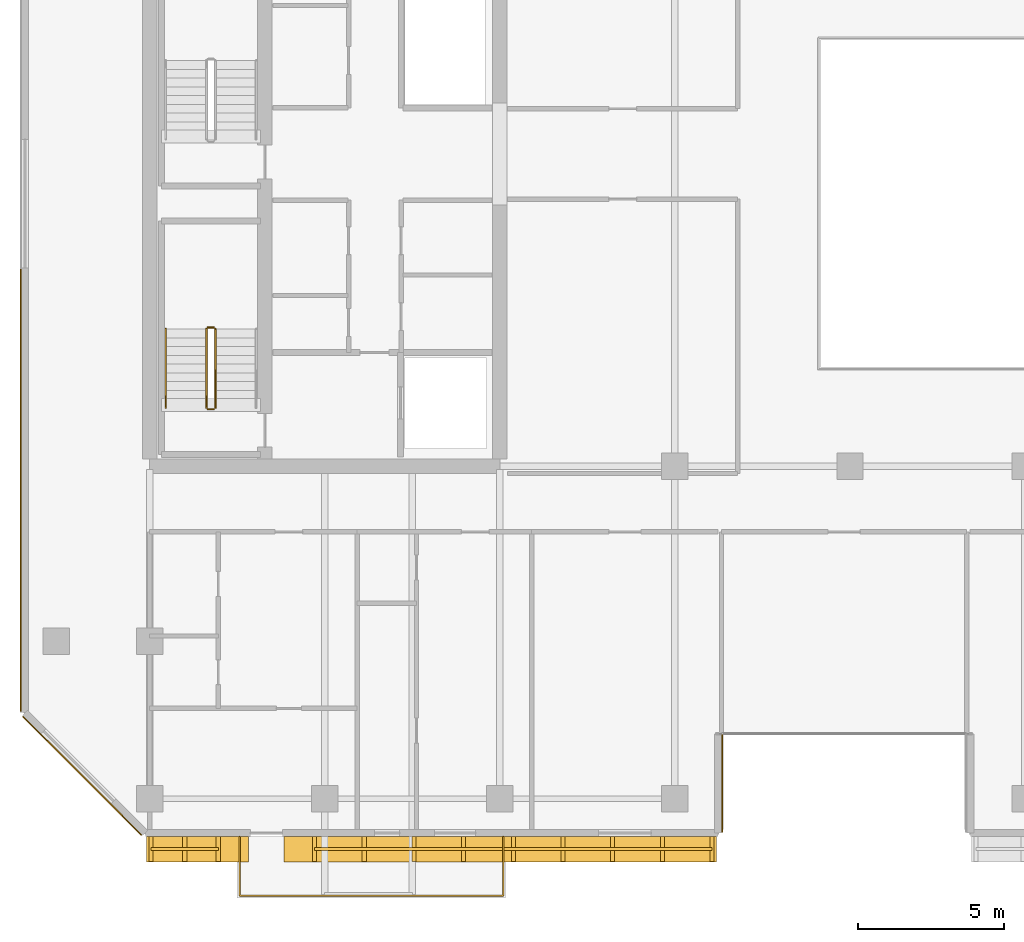
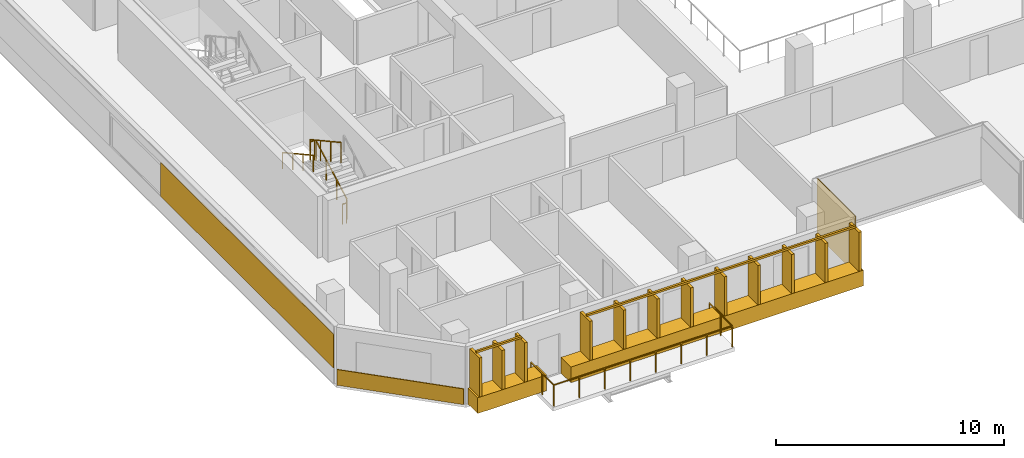
# One storey, part 16 of 20: 8 railings, 5 coverings.
"""IFC4 building model written with IfcOpenShell, lengths in metres."""

from ifc_helpers import new_model, si_unit, direction, frame, origin, origin_2d, place, context, subcontext, project, spatial, rectangle, extrude, material, layer, layer_set, type_object, element, save


model = new_model("IFC4")

# Units and contexts
model_context = context("Model", 3, precision=1e-05, world=origin(), true_north=direction((0.0, 1.0)))
body_context = subcontext(model_context, "Body", "Model", "MODEL_VIEW")
ifc_project = project(units=[si_unit("LENGTHUNIT", "METRE"), si_unit("AREAUNIT", "SQUARE_METRE"), si_unit("VOLUMEUNIT", "CUBIC_METRE"), si_unit("PLANEANGLEUNIT", "RADIAN"), si_unit("MASSUNIT", "GRAM", prefix="KILO")], contexts=[model_context])

# Site, building, storey
site_placement = place(None, origin())
site = spatial("IfcSite", under=ifc_project, at=site_placement, CompositionType="ELEMENT")
building_placement = place(site_placement, origin())
building = spatial("IfcBuilding", under=site, at=building_placement, Name="Tanjung Sevakor Pilgrim Tower", CompositionType="ELEMENT")
storey_placement = place(building_placement, frame((0.0, 0.0, 141.89990234375)))
storey = spatial("IfcBuildingStorey", under=building, at=storey_placement, Name="L39", CompositionType="ELEMENT", Elevation=141.89990234375)

# Coverings
ifc_material_1 = material(Name="Reconstructed Limestone Cladding", Category="masonry")
ifc_layer = layer(ifc_material_1, 0.044921875)
ifc_layer_set = layer_set([ifc_layer], Name="COV-CLAD-LIMESTONE")
covering_type = type_object("IfcCoveringType", Name="COV-CLAD-LIMESTONE", PredefinedType="CLADDING", material=ifc_layer_set)
covering_1_placement = place(storey_placement, frame((25.640869140625, 11.469970703125, 0.01025390625), z_axis=(0.0, 0.0, 1.0), x_axis=(1.0, 0.0, 0.0)))
element("IfcCovering", 1, at=covering_1_placement, inside=storey, type_object=covering_type, Name="L39 Warm Limestone Sill Spandrel EW-L39-MAIN-1-1", PredefinedType="CLADDING", context=body_context, shape_type="SweptSolid", body=[
    extrude(rectangle(XDim=3.498291015625, YDim=0.860107421875, at=origin_2d()), origin(), (0.0, 0.0, 1.0), 0.840087890625),
])
covering_2_placement = place(storey_placement, frame((36.0224609375, 11.469970703125, 0.01025390625), z_axis=(0.0, 0.0, 1.0), x_axis=(1.0, 0.0, 0.0)))
element("IfcCovering", 2, at=covering_2_placement, inside=storey, type_object=covering_type, Name="L39 Warm Limestone Sill Spandrel EW-L39-MAIN-1-2", PredefinedType="CLADDING", context=body_context, shape_type="SweptSolid", body=[
    extrude(rectangle(XDim=14.824951171875, YDim=0.860107421875, at=origin_2d()), origin(), (0.0, 0.0, 1.0), 0.840087890625),
])
covering_3_placement = place(storey_placement, frame((43.62255859375, 13.72509765625, 0.02001953125), z_axis=(0.0, 0.0, 1.0), x_axis=(0.0, 1.0, 0.0)))
element("IfcCovering", 3, at=covering_3_placement, inside=storey, type_object=covering_type, Name="L39 Warm Limestone Wall Cladding EW-L39-MAIN-2", PredefinedType="CLADDING", context=body_context, shape_type="SweptSolid", body=[
    extrude(rectangle(XDim=3.360107421875, YDim=0.044921875, at=origin_2d()), origin(), (0.0, 0.0, 1.0), 3.0400390625),
])
covering_4_placement = place(storey_placement, frame((19.577392578125, 23.77099609375, 0.85009765625), z_axis=(0.0, 0.0, 1.0), x_axis=(0.0, -1.0, 0.0)))
element("IfcCovering", 4, at=covering_4_placement, inside=storey, type_object=covering_type, Name="L39 Warm Limestone Pier Panel EW-L39-MAIN-15-2", PredefinedType="CLADDING", context=body_context, shape_type="SweptSolid", body=[
    extrude(rectangle(XDim=15.158203125, YDim=0.044921875, at=origin_2d()), origin(), (0.0, 0.0, 1.0), 1.81005859375),
])
covering_5_placement = place(storey_placement, frame((21.68408203125, 13.984130859375, 0.01025390625), z_axis=(0.0, 0.0, 1.0), x_axis=(0.707106781187, -0.707106781187, 0.0)))
element("IfcCovering", 5, at=covering_5_placement, inside=storey, type_object=covering_type, Name="L39 Warm Limestone Sill Spandrel EW-CHM-L39-MAIN-15-1", PredefinedType="CLADDING", context=body_context, shape_type="SweptSolid", body=[
    extrude(rectangle(XDim=5.756103515625, YDim=0.044921875, at=origin_2d()), origin(), (0.0, 0.0, 1.0), 0.840087890625),
])

# Railings
ifc_material_2 = material(Name="Laminated Glass and Aluminium", Category="aluminium")
railing_type_1 = type_object("IfcRailingType", Name="RL-BAL-BALUST", PredefinedType="BALUSTRADE", material=ifc_material_2)
railing_1_placement = place(storey_placement, frame((27.080078125, 11.89990234375, 0.0)))
element("IfcRailing", 6, at=railing_1_placement, inside=storey, type_object=railing_type_1, Name="L39 Loggia Balustrade MAIN-S1", PredefinedType="BALUSTRADE", context=body_context, shape_type="SweptSolid", body=[
    extrude(rectangle(XDim=0.0479, YDim=0.0479), frame((0.0, 0.0, 1.1259765625), z_axis=(0.0, -1.0, 0.0), x_axis=(1.0, 0.0, 0.0)), (0.0, 0.0, 1.0), 2.02001953125),
    extrude(rectangle(XDim=0.0479, YDim=0.0479), frame((0.0, -2.02001953125, 1.1259765625), z_axis=(1.0, 0.0, 0.0), x_axis=(0.0, 1.0, 0.0)), (0.0, 0.0, 1.0), 9.0400390625),
    extrude(rectangle(XDim=0.0479, YDim=0.0479), frame((9.0400390625, -2.02001953125, 1.1259765625), z_axis=(0.0, 1.0, 0.0), x_axis=(-1.0, 0.0, 0.0)), (0.0, 0.0, 1.0), 2.02001953125),
    extrude(rectangle(XDim=0.042, YDim=0.042), origin(), (0.0, 0.0, 1.0), 1.101806640625),
    extrude(rectangle(XDim=0.042, YDim=0.042), frame((0.0, -1.010009765625, 0.0)), (0.0, 0.0, 1.0), 1.101806640625),
    extrude(rectangle(XDim=0.042, YDim=0.042), frame((0.0, -2.02001953125, 0.0)), (0.0, 0.0, 1.0), 1.101806640625),
    extrude(rectangle(XDim=0.042, YDim=0.042), frame((1.29150390625, -2.02001953125, 0.0)), (0.0, 0.0, 1.0), 1.101806640625),
    extrude(rectangle(XDim=0.042, YDim=0.042), frame((2.582763671875, -2.02001953125, 0.0)), (0.0, 0.0, 1.0), 1.101806640625),
    extrude(rectangle(XDim=0.042, YDim=0.042), frame((3.874267578125, -2.02001953125, 0.0)), (0.0, 0.0, 1.0), 1.101806640625),
    extrude(rectangle(XDim=0.042, YDim=0.042), frame((5.165771484375, -2.02001953125, 0.0)), (0.0, 0.0, 1.0), 1.101806640625),
    extrude(rectangle(XDim=0.042, YDim=0.042), frame((6.457275390625, -2.02001953125, 0.0)), (0.0, 0.0, 1.0), 1.101806640625),
    extrude(rectangle(XDim=0.042, YDim=0.042), frame((7.74853515625, -2.02001953125, 0.0)), (0.0, 0.0, 1.0), 1.101806640625),
    extrude(rectangle(XDim=0.042, YDim=0.042), frame((9.0400390625, -2.02001953125, 0.0)), (0.0, 0.0, 1.0), 1.101806640625),
    extrude(rectangle(XDim=0.042, YDim=0.042), frame((9.0400390625, -1.010009765625, 0.0)), (0.0, 0.0, 1.0), 1.101806640625),
    extrude(rectangle(XDim=0.042, YDim=0.042), frame((9.0400390625, 0.0, 0.0)), (0.0, 0.0, 1.0), 1.101806640625),
])
ifc_material_3 = material(Name="Anodised Bronze Aluminium 6063-T6", Category="aluminium")
railing_type_2 = type_object("IfcRailingType", Name="RL-FIN-SCREEN", PredefinedType="BALUSTRADE", material=ifc_material_3)
railing_2_placement = place(storey_placement, frame((24.0517578125, 11.47509765625, 0.840087890625)))
element("IfcRailing", 7, at=railing_2_placement, inside=storey, type_object=railing_type_2, Name="L39 Vertical Bronze-Gold Solar Fin Screen FNSCR-EW-L39-MAIN-1-1", PredefinedType="BALUSTRADE", context=body_context, shape_type="SweptSolid", body=[
    extrude(rectangle(XDim=0.105, YDim=0.105), frame((0.0, 0.0, 2.157470703125), z_axis=(1.0, 0.0, 0.0), x_axis=(0.0, 1.0, 0.0)), (0.0, 0.0, 1.0), 2.29833984375),
    extrude(rectangle(XDim=0.14, YDim=0.85), origin(), (0.0, 0.0, 1.0), 2.10498046875),
    extrude(rectangle(XDim=0.14, YDim=0.85), frame((1.149169921875, 0.0, 0.0)), (0.0, 0.0, 1.0), 2.10498046875),
    extrude(rectangle(XDim=0.14, YDim=0.85), frame((2.29833984375, 0.0, 0.0)), (0.0, 0.0, 1.0), 2.10498046875),
])
railing_3_placement = place(storey_placement, frame((29.64990234375, 11.47509765625, 0.840087890625)))
element("IfcRailing", 8, at=railing_3_placement, inside=storey, type_object=railing_type_2, Name="L39 Vertical Bronze-Gold Solar Fin Screen FNSCR-EW-L39-MAIN-1-2", PredefinedType="BALUSTRADE", context=body_context, shape_type="SweptSolid", body=[
    extrude(rectangle(XDim=0.105, YDim=0.105), frame((0.0, 0.0, 2.157470703125), z_axis=(1.0, 0.0, 0.0), x_axis=(0.0, 1.0, 0.0)), (0.0, 0.0, 1.0), 13.625),
    extrude(rectangle(XDim=0.14, YDim=0.85), origin(), (0.0, 0.0, 1.0), 2.10498046875),
    extrude(rectangle(XDim=0.14, YDim=0.85), frame((1.703125, 0.0, 0.0)), (0.0, 0.0, 1.0), 2.10498046875),
    extrude(rectangle(XDim=0.14, YDim=0.85), frame((3.40625, 0.0, 0.0)), (0.0, 0.0, 1.0), 2.10498046875),
    extrude(rectangle(XDim=0.14, YDim=0.85), frame((5.109375, 0.0, 0.0)), (0.0, 0.0, 1.0), 2.10498046875),
    extrude(rectangle(XDim=0.14, YDim=0.85), frame((6.8125, 0.0, 0.0)), (0.0, 0.0, 1.0), 2.10498046875),
    extrude(rectangle(XDim=0.14, YDim=0.85), frame((8.515625, 0.0, 0.0)), (0.0, 0.0, 1.0), 2.10498046875),
    extrude(rectangle(XDim=0.14, YDim=0.85), frame((10.21875, 0.0, 0.0)), (0.0, 0.0, 1.0), 2.10498046875),
    extrude(rectangle(XDim=0.14, YDim=0.85), frame((11.921875, 0.0, 0.0)), (0.0, 0.0, 1.0), 2.10498046875),
    extrude(rectangle(XDim=0.14, YDim=0.85), frame((13.625, 0.0, 0.0)), (0.0, 0.0, 1.0), 2.10498046875),
])
ifc_material_4 = material(Name="Steel S355J2", Category="steel")
railing_type_3 = type_object("IfcRailingType", Name="RL-STAIR-GUARD", PredefinedType="GUARDRAIL", material=ifc_material_4)
railing_4_placement = place(storey_placement, frame((26.25, 26.60009765625, 0.1650390625)))
element("IfcRailing", 9, at=railing_4_placement, inside=storey, type_object=railing_type_3, Name="L39 TS-W1 stair guard 1", PredefinedType="GUARDRAIL", context=body_context, shape_type="SweptSolid", body=[
    extrude(rectangle(XDim=0.0479, YDim=0.0479), frame((0.0, 0.0, 1.076171875), z_axis=(0.0, 0.876197507361, 0.481952205197), x_axis=(-1.0, 0.0, 0.0)), (0.0, 0.0, 1.0), 3.08154296875),
    extrude(rectangle(XDim=0.042, YDim=0.042), origin(), (0.0, 0.0, 1.0), 1.052001953125),
    extrude(rectangle(XDim=0.042, YDim=0.042), frame((0.0, 0.89990234375, 0.4951171875)), (0.0, 0.0, 1.0), 1.052001953125),
    extrude(rectangle(XDim=0.042, YDim=0.042), frame((0.0, 1.800048828125, 0.989990234375)), (0.0, 0.0, 1.0), 1.052001953125),
    extrude(rectangle(XDim=0.042, YDim=0.042), frame((0.0, 2.699951171875, 1.485107421875)), (0.0, 0.0, 1.0), 1.052001953125),
])
railing_5_placement = place(storey_placement, frame((26.199951171875, 29.35009765625, 1.650146484375)))
element("IfcRailing", 10, at=railing_5_placement, inside=storey, type_object=railing_type_3, Name="L39 TS-W1 stair guard 2", PredefinedType="GUARDRAIL", context=body_context, shape_type="SweptSolid", body=[
    extrude(rectangle(XDim=0.0479, YDim=0.0479), frame((0.0, 0.0, 1.076171875), z_axis=(-1.0, 0.0, 0.0), x_axis=(0.0, -1.0, 0.0)), (0.0, 0.0, 1.0), 0.199951171875),
    extrude(rectangle(XDim=0.042, YDim=0.042), origin(), (0.0, 0.0, 1.0), 1.052001953125),
    extrude(rectangle(XDim=0.042, YDim=0.042), frame((-0.199951171875, 0.0, 0.0)), (0.0, 0.0, 1.0), 1.052001953125),
])
railing_6_placement = place(storey_placement, frame((25.949951171875, 29.300048828125, 1.815185546875)))
element("IfcRailing", 11, at=railing_6_placement, inside=storey, type_object=railing_type_3, Name="L39 TS-W1 stair guard 3", PredefinedType="GUARDRAIL", context=body_context, shape_type="SweptSolid", body=[
    extrude(rectangle(XDim=0.0479, YDim=0.0479), frame((0.0, 0.0, 1.076171875), z_axis=(0.0, -0.876230963923, 0.481891375584), x_axis=(1.0, 0.0, 0.0)), (0.0, 0.0, 1.0), 3.081298828125),
    extrude(rectangle(XDim=0.042, YDim=0.042), origin(), (0.0, 0.0, 1.0), 1.052001953125),
    extrude(rectangle(XDim=0.042, YDim=0.042), frame((0.0, -0.89990234375, 0.494873046875)), (0.0, 0.0, 1.0), 1.052001953125),
    extrude(rectangle(XDim=0.042, YDim=0.042), frame((0.0, -1.800048828125, 0.989990234375)), (0.0, 0.0, 1.0), 1.052001953125),
    extrude(rectangle(XDim=0.042, YDim=0.042), frame((0.0, -2.699951171875, 1.48486328125)), (0.0, 0.0, 1.0), 1.052001953125),
])
railing_7_placement = place(storey_placement, frame((26.199951171875, 26.550048828125, 0.0)))
element("IfcRailing", 12, at=railing_7_placement, inside=storey, type_object=railing_type_3, Name="L39 TS-W1 stair guard 4", PredefinedType="GUARDRAIL", context=body_context, shape_type="SweptSolid", body=[
    extrude(rectangle(XDim=0.0479, YDim=0.0479), frame((0.0, 0.0, 1.076171875), z_axis=(-1.0, 0.0, 0.0), x_axis=(0.0, -1.0, 0.0)), (0.0, 0.0, 1.0), 0.199951171875),
    extrude(rectangle(XDim=0.042, YDim=0.042), origin(), (0.0, 0.0, 1.0), 1.052001953125),
    extrude(rectangle(XDim=0.042, YDim=0.042), frame((-0.199951171875, 0.0, 0.0)), (0.0, 0.0, 1.0), 1.052001953125),
])
ifc_material_5 = material(Name="Steel S355J2", Category="steel")
railing_type_4 = type_object("IfcRailingType", Name="RL-STAIR-HAND", PredefinedType="HANDRAIL", material=ifc_material_5)
railing_8_placement = place(storey_placement, frame((24.550048828125, 29.300048828125, 1.815185546875)))
element("IfcRailing", 13, at=railing_8_placement, inside=storey, type_object=railing_type_4, Name="L39 TS-W1 stair handrail 2", PredefinedType="HANDRAIL", context=body_context, shape_type="SweptSolid", body=[
    extrude(rectangle(XDim=0.0479, YDim=0.0479), frame((0.0, 0.0, 0.8759765625), z_axis=(0.0, -0.876230963923, 0.481891375584), x_axis=(1.0, 0.0, 0.0)), (0.0, 0.0, 1.0), 3.081298828125),
    extrude(rectangle(XDim=0.042, YDim=0.042), origin(), (0.0, 0.0, 1.0), 0.851806640625),
    extrude(rectangle(XDim=0.042, YDim=0.042), frame((0.0, -0.89990234375, 0.494873046875)), (0.0, 0.0, 1.0), 0.851806640625),
    extrude(rectangle(XDim=0.042, YDim=0.042), frame((0.0, -1.800048828125, 0.989990234375)), (0.0, 0.0, 1.0), 0.851806640625),
    extrude(rectangle(XDim=0.042, YDim=0.042), frame((0.0, -2.699951171875, 1.48486328125)), (0.0, 0.0, 1.0), 0.851806640625),
])

save(model, "model.ifc")
